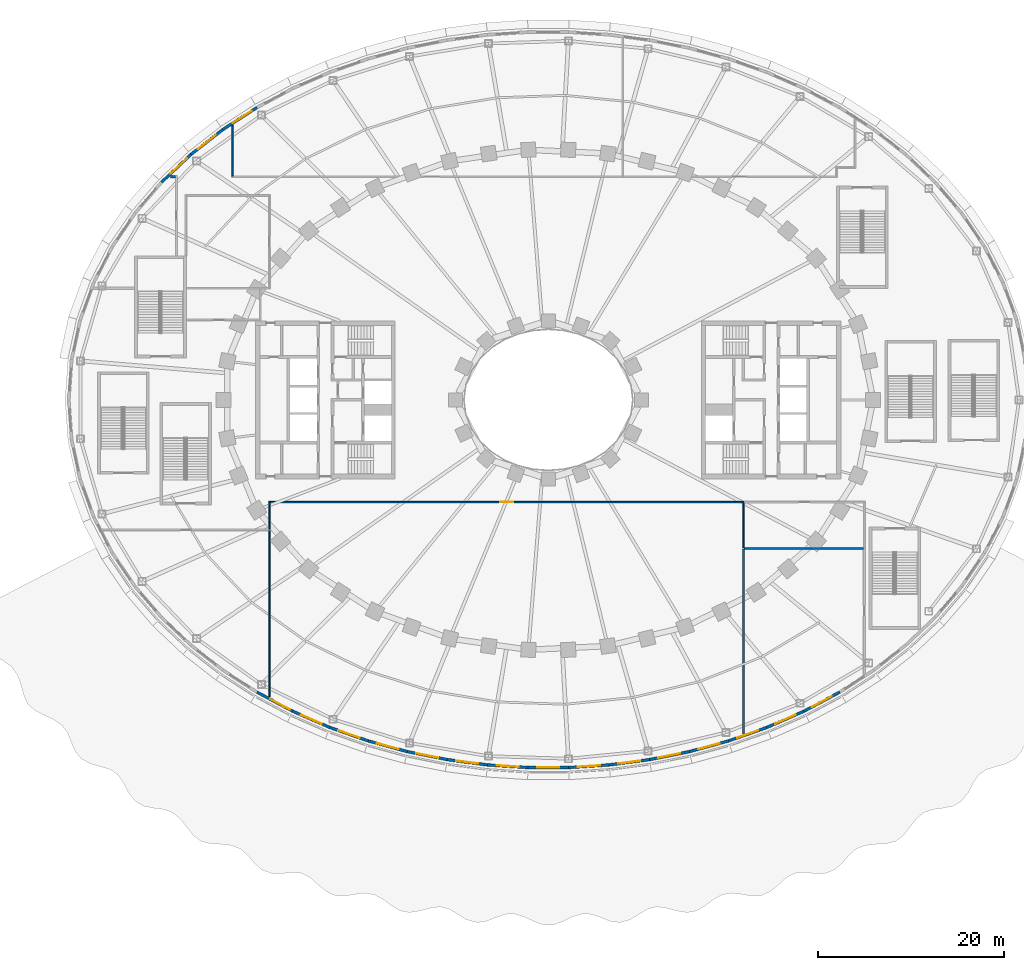
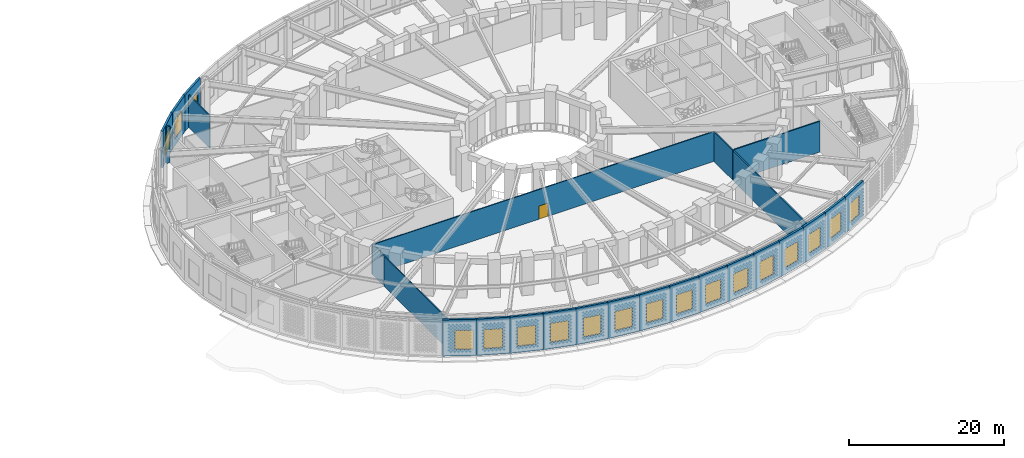
# One storey, part 22 of 74: 26 walls, 18 windows, 1 door, 19 openings.
"""IFC4 building model written with IfcOpenShell, lengths in metres."""

from ifc_helpers import new_model, si_unit, direction, frame, frame_2d, origin, place, context, subcontext, project, spatial, rectangle, extrude, material, layer, layer_set, type_object, element, fill, save


model = new_model("IFC4")

# Units and contexts
model_context = context("Model", 3, precision=1e-05, world=origin(), true_north=direction((0.0, 1.0)))
body_context = subcontext(model_context, "Body", "Model", "MODEL_VIEW")
ifc_project = project(units=[si_unit("LENGTHUNIT", "METRE"), si_unit("AREAUNIT", "SQUARE_METRE"), si_unit("VOLUMEUNIT", "CUBIC_METRE"), si_unit("PLANEANGLEUNIT", "RADIAN"), si_unit("MASSUNIT", "GRAM", prefix="KILO")], contexts=[model_context])

# Site, building, storey
site_placement = place(None, origin())
site = spatial("IfcSite", under=ifc_project, at=site_placement, CompositionType="ELEMENT")
building_placement = place(site_placement, origin())
building = spatial("IfcBuilding", under=site, at=building_placement, Name="Noorbagh Ring Tower", CompositionType="ELEMENT")
storey_placement = place(building_placement, frame((0.0, 0.0, 7.5)))
storey = spatial("IfcBuildingStorey", under=building, at=storey_placement, Name="L01", CompositionType="ELEMENT", Elevation=7.5)

# Wall, opening, window
ifc_material_1 = material(Name="Blockwork faced with red sandstone", Category="masonry")
ifc_layer_1 = layer(ifc_material_1, 0.300048828125)
ifc_layer_set_1 = layer_set([ifc_layer_1], Name="Blockwork faced with red sandstone")
wall_type_1 = type_object("IfcWallType", Name="GND-ENV-WALL", PredefinedType="SOLIDWALL", material=ifc_layer_set_1)
wall_1_placement = place(storey_placement, frame((-31.3515625, 31.448486328125, 0.0), z_axis=(0.0, 0.0, 1.0), x_axis=(-0.840047348843, -0.542513088969, 0.0)))
wall_1 = element("IfcWall", 1, at=wall_1_placement, inside=storey, type_object=wall_type_1, Name="Podium wall", PredefinedType="SOLIDWALL", context=body_context, shape_type="SweptSolid", body=[
    extrude(rectangle(XDim=4.362060546875, YDim=0.300048828125, at=frame_2d((2.18115234375, 0.0))), origin(), (0.0, 0.0, 1.0), 5.75),
])
opening_1_placement = place(wall_1_placement, frame((0.69091796875, 0.0, 1.0)))
opening_1 = element("IfcOpeningElement", 2, at=opening_1_placement, cuts=wall_1, Name="Opening GWN1", PredefinedType="OPENING", context=body_context, shape_type="SweptSolid", body=[
    extrude(rectangle(XDim=2.39990234375, YDim=3.0, at=frame_2d((1.199951171875, 1.5))), frame((0.0, 0.16015625, 0.0), z_axis=(0.0, -1.0, 0.0), x_axis=(1.0, 0.0, 0.0)), (0.0, 0.0, 1.0), 0.320068359375),
])
ifc_material_2 = material(Name="Aluminium and glass", Category="aluminium")
window_type = type_object("IfcWindowType", Name="GND-ENV-WINDOW", PartitioningType="SINGLE_PANEL", PredefinedType="WINDOW", material=ifc_material_2)
window_1_placement = place(opening_1_placement, origin())
window_1 = element("IfcWindow", 3, at=window_1_placement, inside=storey, type_object=window_type, Name="L01 podium window", OverallHeight=3.0, OverallWidth=2.39990234375, PartitioningType="SINGLE_PANEL", PredefinedType="WINDOW", context=body_context, shape_type="SweptSolid", body=[
    extrude(rectangle(XDim=2.39990234375, YDim=3.0, at=frame_2d((1.199951171875, 1.5))), frame((0.0, 0.030029296875, 0.0), z_axis=(0.0, -1.0, 0.0), x_axis=(1.0, 0.0, 0.0)), (0.0, 0.0, 1.0), 0.06005859375),
])
fill(opening_1, window_1)

wall_2_placement = place(storey_placement, frame((-35.015869140625, 29.08203125, 0.0), z_axis=(0.0, 0.0, 1.0), x_axis=(-0.788491985196, -0.615045030288, 0.0)))
wall_2 = element("IfcWall", 4, at=wall_2_placement, inside=storey, type_object=wall_type_1, Name="Podium wall", PredefinedType="SOLIDWALL", context=body_context, shape_type="SweptSolid", body=[
    extrude(rectangle(XDim=4.359375, YDim=0.300048828125, at=frame_2d((2.1796875, 0.0))), origin(), (0.0, 0.0, 1.0), 5.75),
])
opening_2_placement = place(wall_2_placement, frame((0.979736328125, 0.0, 1.0)))
opening_2 = element("IfcOpeningElement", 5, at=opening_2_placement, cuts=wall_2, Name="Opening GWN1", PredefinedType="OPENING", context=body_context, shape_type="SweptSolid", body=[
    extrude(rectangle(XDim=2.39990234375, YDim=3.0, at=frame_2d((1.199951171875, 1.5))), frame((0.0, 0.16015625, 0.0), z_axis=(0.0, -1.0, 0.0), x_axis=(1.0, 0.0, 0.0)), (0.0, 0.0, 1.0), 0.320068359375),
])
window_2_placement = place(opening_2_placement, origin())
window_2 = element("IfcWindow", 6, at=window_2_placement, inside=storey, type_object=window_type, Name="L01 podium window", OverallHeight=3.0, OverallWidth=2.39990234375, PartitioningType="SINGLE_PANEL", PredefinedType="WINDOW", context=body_context, shape_type="SweptSolid", body=[
    extrude(rectangle(XDim=2.39990234375, YDim=3.0, at=frame_2d((1.199951171875, 1.5))), frame((0.0, 0.030029296875, 0.0), z_axis=(0.0, -1.0, 0.0), x_axis=(1.0, 0.0, 0.0)), (0.0, 0.0, 1.0), 0.06005859375),
])
fill(opening_2, window_2)

wall_3_placement = place(storey_placement, frame((-38.453125, 26.40087890625, 0.0), z_axis=(0.0, 0.0, 1.0), x_axis=(-0.72620446032, -0.687478786444, 0.0)))
wall_3 = element("IfcWall", 7, at=wall_3_placement, inside=storey, type_object=wall_type_1, Name="Podium wall", PredefinedType="SOLIDWALL", context=body_context, shape_type="SweptSolid", body=[
    extrude(rectangle(XDim=4.356201171875, YDim=0.300048828125, at=frame_2d((2.17822265625, 0.0))), origin(), (0.0, 0.0, 1.0), 5.75),
])
opening_3_placement = place(wall_3_placement, frame((0.608154296875, 0.0, 1.0)))
opening_3 = element("IfcOpeningElement", 8, at=opening_3_placement, cuts=wall_3, Name="Opening GWN1", PredefinedType="OPENING", context=body_context, shape_type="SweptSolid", body=[
    extrude(rectangle(XDim=2.39990234375, YDim=3.0, at=frame_2d((1.199951171875, 1.5))), frame((0.0, 0.16015625, 0.0), z_axis=(0.0, -1.0, 0.0), x_axis=(1.0, 0.0, 0.0)), (0.0, 0.0, 1.0), 0.320068359375),
])
window_3_placement = place(opening_3_placement, origin())
window_3 = element("IfcWindow", 9, at=window_3_placement, inside=storey, type_object=window_type, Name="L01 podium window", OverallHeight=3.0, OverallWidth=2.39990234375, PartitioningType="SINGLE_PANEL", PredefinedType="WINDOW", context=body_context, shape_type="SweptSolid", body=[
    extrude(rectangle(XDim=2.39990234375, YDim=3.0, at=frame_2d((1.199951171875, 1.5))), frame((0.0, 0.030029296875, 0.0), z_axis=(0.0, -1.0, 0.0), x_axis=(1.0, 0.0, 0.0)), (0.0, 0.0, 1.0), 0.06005859375),
])
fill(opening_3, window_3)

wall_4_placement = place(storey_placement, frame((-31.3515625, -31.448486328125, 0.0), z_axis=(0.0, 0.0, 1.0), x_axis=(0.882159305704, -0.47095112205, 0.0)))
wall_4 = element("IfcWall", 10, at=wall_4_placement, inside=storey, type_object=wall_type_1, Name="Podium wall", PredefinedType="SOLIDWALL", context=body_context, shape_type="SweptSolid", body=[
    extrude(rectangle(XDim=4.364501953125, YDim=0.300048828125, at=frame_2d((2.18212890625, 0.0))), origin(), (0.0, 0.0, 1.0), 5.75),
])
opening_4_placement = place(wall_4_placement, frame((1.622314453125, 0.0, 1.0)))
opening_4 = element("IfcOpeningElement", 11, at=opening_4_placement, cuts=wall_4, Name="Opening GWN1", PredefinedType="OPENING", context=body_context, shape_type="SweptSolid", body=[
    extrude(rectangle(XDim=2.39990234375, YDim=3.0, at=frame_2d((1.199951171875, 1.5))), frame((0.0, 0.16015625, 0.0), z_axis=(0.0, -1.0, 0.0), x_axis=(1.0, 0.0, 0.0)), (0.0, 0.0, 1.0), 0.320068359375),
])
window_4_placement = place(opening_4_placement, origin())
window_4 = element("IfcWindow", 12, at=window_4_placement, inside=storey, type_object=window_type, Name="L01 podium window", OverallHeight=3.0, OverallWidth=2.39990234375, PartitioningType="SINGLE_PANEL", PredefinedType="WINDOW", context=body_context, shape_type="SweptSolid", body=[
    extrude(rectangle(XDim=2.39990234375, YDim=3.0, at=frame_2d((1.199951171875, 1.5))), frame((0.0, 0.030029296875, 0.0), z_axis=(0.0, -1.0, 0.0), x_axis=(1.0, 0.0, 0.0)), (0.0, 0.0, 1.0), 0.06005859375),
])
fill(opening_4, window_4)

wall_5_placement = place(storey_placement, frame((-27.50146484375, -33.50390625, 0.0), z_axis=(0.0, 0.0, 1.0), x_axis=(0.916336904548, -0.400408138483, 0.0)))
wall_5 = element("IfcWall", 13, at=wall_5_placement, inside=storey, type_object=wall_type_1, Name="Podium wall", PredefinedType="SOLIDWALL", context=body_context, shape_type="SweptSolid", body=[
    extrude(rectangle(XDim=4.3662109375, YDim=0.300048828125, at=frame_2d((2.18310546875, 0.0))), origin(), (0.0, 0.0, 1.0), 5.75),
])
opening_5_placement = place(wall_5_placement, frame((0.983154296875, 0.0, 1.0)))
opening_5 = element("IfcOpeningElement", 14, at=opening_5_placement, cuts=wall_5, Name="Opening GWN1", PredefinedType="OPENING", context=body_context, shape_type="SweptSolid", body=[
    extrude(rectangle(XDim=2.39990234375, YDim=3.0, at=frame_2d((1.199951171875, 1.5))), frame((0.0, 0.16015625, 0.0), z_axis=(0.0, -1.0, 0.0), x_axis=(1.0, 0.0, 0.0)), (0.0, 0.0, 1.0), 0.320068359375),
])
window_5_placement = place(opening_5_placement, origin())
window_5 = element("IfcWindow", 15, at=window_5_placement, inside=storey, type_object=window_type, Name="L01 podium window", OverallHeight=3.0, OverallWidth=2.39990234375, PartitioningType="SINGLE_PANEL", PredefinedType="WINDOW", context=body_context, shape_type="SweptSolid", body=[
    extrude(rectangle(XDim=2.39990234375, YDim=3.0, at=frame_2d((1.199951171875, 1.5))), frame((0.0, 0.030029296875, 0.0), z_axis=(0.0, -1.0, 0.0), x_axis=(1.0, 0.0, 0.0)), (0.0, 0.0, 1.0), 0.06005859375),
])
fill(opening_5, window_5)

wall_6_placement = place(storey_placement, frame((-23.50048828125, -35.252197265625, 0.0), z_axis=(0.0, 0.0, 1.0), x_axis=(0.943526738033, -0.331296384853, 0.0)))
wall_6 = element("IfcWall", 16, at=wall_6_placement, inside=storey, type_object=wall_type_1, Name="Podium wall", PredefinedType="SOLIDWALL", context=body_context, shape_type="SweptSolid", body=[
    extrude(rectangle(XDim=4.36767578125, YDim=0.300048828125, at=frame_2d((2.183837890625, 0.0))), origin(), (0.0, 0.0, 1.0), 5.75),
])
opening_6_placement = place(wall_6_placement, frame((0.98388671875, 0.0, 1.0)))
opening_6 = element("IfcOpeningElement", 17, at=opening_6_placement, cuts=wall_6, Name="Opening GWN1", PredefinedType="OPENING", context=body_context, shape_type="SweptSolid", body=[
    extrude(rectangle(XDim=2.39990234375, YDim=3.0, at=frame_2d((1.199951171875, 1.5))), frame((0.0, 0.16015625, 0.0), z_axis=(0.0, -1.0, 0.0), x_axis=(1.0, 0.0, 0.0)), (0.0, 0.0, 1.0), 0.320068359375),
])
window_6_placement = place(opening_6_placement, origin())
window_6 = element("IfcWindow", 18, at=window_6_placement, inside=storey, type_object=window_type, Name="L01 podium window", OverallHeight=3.0, OverallWidth=2.39990234375, PartitioningType="SINGLE_PANEL", PredefinedType="WINDOW", context=body_context, shape_type="SweptSolid", body=[
    extrude(rectangle(XDim=2.39990234375, YDim=3.0, at=frame_2d((1.199951171875, 1.5))), frame((0.0, 0.030029296875, 0.0), z_axis=(0.0, -1.0, 0.0), x_axis=(1.0, 0.0, 0.0)), (0.0, 0.0, 1.0), 0.06005859375),
])
fill(opening_6, window_6)

wall_7_placement = place(storey_placement, frame((-19.37939453125, -36.69921875, 0.0), z_axis=(0.0, 0.0, 1.0), x_axis=(0.964679950239, -0.263424739931, 0.0)))
wall_7 = element("IfcWall", 19, at=wall_7_placement, inside=storey, type_object=wall_type_1, Name="Podium wall", PredefinedType="SOLIDWALL", context=body_context, shape_type="SweptSolid", body=[
    extrude(rectangle(XDim=4.368896484375, YDim=0.300048828125, at=frame_2d((2.1845703125, 0.0))), origin(), (0.0, 0.0, 1.0), 5.75),
])
opening_7_placement = place(wall_7_placement, frame((0.984619140625, 0.0, 1.0)))
opening_7 = element("IfcOpeningElement", 20, at=opening_7_placement, cuts=wall_7, Name="Opening GWN1", PredefinedType="OPENING", context=body_context, shape_type="SweptSolid", body=[
    extrude(rectangle(XDim=2.39990234375, YDim=3.0, at=frame_2d((1.199951171875, 1.5))), frame((0.0, 0.16015625, 0.0), z_axis=(0.0, -1.0, 0.0), x_axis=(1.0, 0.0, 0.0)), (0.0, 0.0, 1.0), 0.320068359375),
])
window_7_placement = place(opening_7_placement, origin())
window_7 = element("IfcWindow", 21, at=window_7_placement, inside=storey, type_object=window_type, Name="L01 podium window", OverallHeight=3.0, OverallWidth=2.39990234375, PartitioningType="SINGLE_PANEL", PredefinedType="WINDOW", context=body_context, shape_type="SweptSolid", body=[
    extrude(rectangle(XDim=2.39990234375, YDim=3.0, at=frame_2d((1.199951171875, 1.5))), frame((0.0, 0.030029296875, 0.0), z_axis=(0.0, -1.0, 0.0), x_axis=(1.0, 0.0, 0.0)), (0.0, 0.0, 1.0), 0.06005859375),
])
fill(opening_7, window_7)

wall_8_placement = place(storey_placement, frame((-2.185546875, -39.564208984375, 0.0), z_axis=(0.0, 0.0, 1.0), x_axis=(1.0, 0.0, 0.0)))
wall_8 = element("IfcWall", 22, at=wall_8_placement, inside=storey, type_object=wall_type_1, Name="Podium wall", PredefinedType="SOLIDWALL", context=body_context, shape_type="SweptSolid", body=[
    extrude(rectangle(XDim=4.37109375, YDim=0.300048828125, at=frame_2d((2.185546875, 0.0))), origin(), (0.0, 0.0, 1.0), 5.75),
])
opening_8_placement = place(wall_8_placement, frame((0.985595703125, 0.0, 1.0)))
opening_8 = element("IfcOpeningElement", 23, at=opening_8_placement, cuts=wall_8, Name="Opening GWN1", PredefinedType="OPENING", context=body_context, shape_type="SweptSolid", body=[
    extrude(rectangle(XDim=2.39990234375, YDim=3.0, at=frame_2d((1.199951171875, 1.5))), frame((0.0, 0.16015625, 0.0), z_axis=(0.0, -1.0, 0.0), x_axis=(1.0, 0.0, 0.0)), (0.0, 0.0, 1.0), 0.320068359375),
])
window_8_placement = place(opening_8_placement, origin())
window_8 = element("IfcWindow", 24, at=window_8_placement, inside=storey, type_object=window_type, Name="L01 podium window", OverallHeight=3.0, OverallWidth=2.39990234375, PartitioningType="SINGLE_PANEL", PredefinedType="WINDOW", context=body_context, shape_type="SweptSolid", body=[
    extrude(rectangle(XDim=2.39990234375, YDim=3.0, at=frame_2d((1.199951171875, 1.5))), frame((0.0, 0.030029296875, 0.0), z_axis=(0.0, -1.0, 0.0), x_axis=(1.0, 0.0, 0.0)), (0.0, 0.0, 1.0), 0.06005859375),
])
fill(opening_8, window_8)

wall_9_placement = place(storey_placement, frame((2.185546875, -39.564208984375, 0.0), z_axis=(0.0, 0.0, 1.0), x_axis=(0.997876871627, 0.065128711577, 0.0)))
wall_9 = element("IfcWall", 25, at=wall_9_placement, inside=storey, type_object=wall_type_1, Name="Podium wall", PredefinedType="SOLIDWALL", context=body_context, shape_type="SweptSolid", body=[
    extrude(rectangle(XDim=4.370849609375, YDim=0.300048828125, at=frame_2d((2.185546875, 0.0))), origin(), (0.0, 0.0, 1.0), 5.75),
])
opening_9_placement = place(wall_9_placement, frame((0.9853515625, 0.0, 1.0)))
opening_9 = element("IfcOpeningElement", 26, at=opening_9_placement, cuts=wall_9, Name="Opening GWN1", PredefinedType="OPENING", context=body_context, shape_type="SweptSolid", body=[
    extrude(rectangle(XDim=2.39990234375, YDim=3.0, at=frame_2d((1.199951171875, 1.5))), frame((0.0, 0.16015625, 0.0), z_axis=(0.0, -1.0, 0.0), x_axis=(1.0, 0.0, 0.0)), (0.0, 0.0, 1.0), 0.320068359375),
])
window_9_placement = place(opening_9_placement, origin())
window_9 = element("IfcWindow", 27, at=window_9_placement, inside=storey, type_object=window_type, Name="L01 podium window", OverallHeight=3.0, OverallWidth=2.39990234375, PartitioningType="SINGLE_PANEL", PredefinedType="WINDOW", context=body_context, shape_type="SweptSolid", body=[
    extrude(rectangle(XDim=2.39990234375, YDim=3.0, at=frame_2d((1.199951171875, 1.5))), frame((0.0, 0.030029296875, 0.0), z_axis=(0.0, -1.0, 0.0), x_axis=(1.0, 0.0, 0.0)), (0.0, 0.0, 1.0), 0.06005859375),
])
fill(opening_9, window_9)

wall_10_placement = place(storey_placement, frame((6.547119140625, -39.279541015625, 0.0), z_axis=(0.0, 0.0, 1.0), x_axis=(0.991441741932, 0.130549884544, 0.0)))
wall_10 = element("IfcWall", 28, at=wall_10_placement, inside=storey, type_object=wall_type_1, Name="Podium wall", PredefinedType="SOLIDWALL", context=body_context, shape_type="SweptSolid", body=[
    extrude(rectangle(XDim=4.370361328125, YDim=0.300048828125, at=frame_2d((2.18505859375, 0.0))), origin(), (0.0, 0.0, 1.0), 5.75),
])
opening_10_placement = place(wall_10_placement, frame((0.985107421875, 0.0, 1.0)))
opening_10 = element("IfcOpeningElement", 29, at=opening_10_placement, cuts=wall_10, Name="Opening GWN1", PredefinedType="OPENING", context=body_context, shape_type="SweptSolid", body=[
    extrude(rectangle(XDim=2.39990234375, YDim=3.0, at=frame_2d((1.199951171875, 1.5))), frame((0.0, 0.16015625, 0.0), z_axis=(0.0, -1.0, 0.0), x_axis=(1.0, 0.0, 0.0)), (0.0, 0.0, 1.0), 0.320068359375),
])
window_10_placement = place(opening_10_placement, origin())
window_10 = element("IfcWindow", 30, at=window_10_placement, inside=storey, type_object=window_type, Name="L01 podium window", OverallHeight=3.0, OverallWidth=2.39990234375, PartitioningType="SINGLE_PANEL", PredefinedType="WINDOW", context=body_context, shape_type="SweptSolid", body=[
    extrude(rectangle(XDim=2.39990234375, YDim=3.0, at=frame_2d((1.199951171875, 1.5))), frame((0.0, 0.030029296875, 0.0), z_axis=(0.0, -1.0, 0.0), x_axis=(1.0, 0.0, 0.0)), (0.0, 0.0, 1.0), 0.06005859375),
])
fill(opening_10, window_10)

wall_11_placement = place(storey_placement, frame((10.880126953125, -38.708984375, 0.0), z_axis=(0.0, 0.0, 1.0), x_axis=(0.980494629762, 0.196545875071, 0.0)))
wall_11 = element("IfcWall", 31, at=wall_11_placement, inside=storey, type_object=wall_type_1, Name="Podium wall", PredefinedType="SOLIDWALL", context=body_context, shape_type="SweptSolid", body=[
    extrude(rectangle(XDim=4.369873046875, YDim=0.300048828125, at=frame_2d((2.18505859375, 0.0))), origin(), (0.0, 0.0, 1.0), 5.75),
])
opening_11_placement = place(wall_11_placement, frame((0.98486328125, 0.0, 1.0)))
opening_11 = element("IfcOpeningElement", 32, at=opening_11_placement, cuts=wall_11, Name="Opening GWN1", PredefinedType="OPENING", context=body_context, shape_type="SweptSolid", body=[
    extrude(rectangle(XDim=2.39990234375, YDim=3.0, at=frame_2d((1.199951171875, 1.5))), frame((0.0, 0.16015625, 0.0), z_axis=(0.0, -1.0, 0.0), x_axis=(1.0, 0.0, 0.0)), (0.0, 0.0, 1.0), 0.320068359375),
])
window_11_placement = place(opening_11_placement, origin())
window_11 = element("IfcWindow", 33, at=window_11_placement, inside=storey, type_object=window_type, Name="L01 podium window", OverallHeight=3.0, OverallWidth=2.39990234375, PartitioningType="SINGLE_PANEL", PredefinedType="WINDOW", context=body_context, shape_type="SweptSolid", body=[
    extrude(rectangle(XDim=2.39990234375, YDim=3.0, at=frame_2d((1.199951171875, 1.5))), frame((0.0, 0.030029296875, 0.0), z_axis=(0.0, -1.0, 0.0), x_axis=(1.0, 0.0, 0.0)), (0.0, 0.0, 1.0), 0.06005859375),
])
fill(opening_11, window_11)

wall_12_placement = place(storey_placement, frame((15.164794921875, -37.85009765625, 0.0), z_axis=(0.0, 0.0, 1.0), x_axis=(0.964679950239, 0.263424739931, 0.0)))
wall_12 = element("IfcWall", 34, at=wall_12_placement, inside=storey, type_object=wall_type_1, Name="Podium wall", PredefinedType="SOLIDWALL", context=body_context, shape_type="SweptSolid", body=[
    extrude(rectangle(XDim=4.368896484375, YDim=0.300048828125, at=frame_2d((2.1845703125, 0.0))), origin(), (0.0, 0.0, 1.0), 5.75),
])
opening_12_placement = place(wall_12_placement, frame((0.984619140625, 0.0, 1.0)))
opening_12 = element("IfcOpeningElement", 35, at=opening_12_placement, cuts=wall_12, Name="Opening GWN1", PredefinedType="OPENING", context=body_context, shape_type="SweptSolid", body=[
    extrude(rectangle(XDim=2.39990234375, YDim=3.0, at=frame_2d((1.199951171875, 1.5))), frame((0.0, 0.16015625, 0.0), z_axis=(0.0, -1.0, 0.0), x_axis=(1.0, 0.0, 0.0)), (0.0, 0.0, 1.0), 0.320068359375),
])
window_12_placement = place(opening_12_placement, origin())
window_12 = element("IfcWindow", 36, at=window_12_placement, inside=storey, type_object=window_type, Name="L01 podium window", OverallHeight=3.0, OverallWidth=2.39990234375, PartitioningType="SINGLE_PANEL", PredefinedType="WINDOW", context=body_context, shape_type="SweptSolid", body=[
    extrude(rectangle(XDim=2.39990234375, YDim=3.0, at=frame_2d((1.199951171875, 1.5))), frame((0.0, 0.030029296875, 0.0), z_axis=(0.0, -1.0, 0.0), x_axis=(1.0, 0.0, 0.0)), (0.0, 0.0, 1.0), 0.06005859375),
])
fill(opening_12, window_12)

wall_13_placement = place(storey_placement, frame((19.37939453125, -36.69921875, 0.0), z_axis=(0.0, 0.0, 1.0), x_axis=(0.943526738033, 0.331296384853, 0.0)))
wall_13 = element("IfcWall", 37, at=wall_13_placement, inside=storey, type_object=wall_type_1, Name="Podium wall", PredefinedType="SOLIDWALL", context=body_context, shape_type="SweptSolid", body=[
    extrude(rectangle(XDim=4.36767578125, YDim=0.300048828125, at=frame_2d((2.183837890625, 0.0))), origin(), (0.0, 0.0, 1.0), 5.75),
])
opening_13_placement = place(wall_13_placement, frame((0.98388671875, 0.0, 1.0)))
opening_13 = element("IfcOpeningElement", 38, at=opening_13_placement, cuts=wall_13, Name="Opening GWN1", PredefinedType="OPENING", context=body_context, shape_type="SweptSolid", body=[
    extrude(rectangle(XDim=2.39990234375, YDim=3.0, at=frame_2d((1.199951171875, 1.5))), frame((0.0, 0.16015625, 0.0), z_axis=(0.0, -1.0, 0.0), x_axis=(1.0, 0.0, 0.0)), (0.0, 0.0, 1.0), 0.320068359375),
])
window_13_placement = place(opening_13_placement, origin())
window_13 = element("IfcWindow", 39, at=window_13_placement, inside=storey, type_object=window_type, Name="L01 podium window", OverallHeight=3.0, OverallWidth=2.39990234375, PartitioningType="SINGLE_PANEL", PredefinedType="WINDOW", context=body_context, shape_type="SweptSolid", body=[
    extrude(rectangle(XDim=2.39990234375, YDim=3.0, at=frame_2d((1.199951171875, 1.5))), frame((0.0, 0.030029296875, 0.0), z_axis=(0.0, -1.0, 0.0), x_axis=(1.0, 0.0, 0.0)), (0.0, 0.0, 1.0), 0.06005859375),
])
fill(opening_13, window_13)

wall_14_placement = place(storey_placement, frame((23.50048828125, -35.252197265625, 0.0), z_axis=(0.0, 0.0, 1.0), x_axis=(0.916336904548, 0.400408138483, 0.0)))
wall_14 = element("IfcWall", 40, at=wall_14_placement, inside=storey, type_object=wall_type_1, Name="Podium wall", PredefinedType="SOLIDWALL", context=body_context, shape_type="SweptSolid", body=[
    extrude(rectangle(XDim=4.3662109375, YDim=0.300048828125, at=frame_2d((2.18310546875, 0.0))), origin(), (0.0, 0.0, 1.0), 5.75),
])
opening_14_placement = place(wall_14_placement, frame((0.983154296875, 0.0, 1.0)))
opening_14 = element("IfcOpeningElement", 41, at=opening_14_placement, cuts=wall_14, Name="Opening GWN1", PredefinedType="OPENING", context=body_context, shape_type="SweptSolid", body=[
    extrude(rectangle(XDim=2.39990234375, YDim=3.0, at=frame_2d((1.199951171875, 1.5))), frame((0.0, 0.16015625, 0.0), z_axis=(0.0, -1.0, 0.0), x_axis=(1.0, 0.0, 0.0)), (0.0, 0.0, 1.0), 0.320068359375),
])
window_14_placement = place(opening_14_placement, origin())
window_14 = element("IfcWindow", 42, at=window_14_placement, inside=storey, type_object=window_type, Name="L01 podium window", OverallHeight=3.0, OverallWidth=2.39990234375, PartitioningType="SINGLE_PANEL", PredefinedType="WINDOW", context=body_context, shape_type="SweptSolid", body=[
    extrude(rectangle(XDim=2.39990234375, YDim=3.0, at=frame_2d((1.199951171875, 1.5))), frame((0.0, 0.030029296875, 0.0), z_axis=(0.0, -1.0, 0.0), x_axis=(1.0, 0.0, 0.0)), (0.0, 0.0, 1.0), 0.06005859375),
])
fill(opening_14, window_14)

wall_15_placement = place(storey_placement, frame((27.50146484375, -33.50390625, 0.0), z_axis=(0.0, 0.0, 1.0), x_axis=(0.882159305704, 0.47095112205, 0.0)))
wall_15 = element("IfcWall", 43, at=wall_15_placement, inside=storey, type_object=wall_type_1, Name="Podium wall", PredefinedType="SOLIDWALL", context=body_context, shape_type="SweptSolid", body=[
    extrude(rectangle(XDim=4.364501953125, YDim=0.300048828125, at=frame_2d((2.18212890625, 0.0))), origin(), (0.0, 0.0, 1.0), 5.75),
])
opening_15_placement = place(wall_15_placement, frame((0.982177734375, 0.0, 1.0)))
opening_15 = element("IfcOpeningElement", 44, at=opening_15_placement, cuts=wall_15, Name="Opening GWN1", PredefinedType="OPENING", context=body_context, shape_type="SweptSolid", body=[
    extrude(rectangle(XDim=2.39990234375, YDim=3.0, at=frame_2d((1.199951171875, 1.5))), frame((0.0, 0.16015625, 0.0), z_axis=(0.0, -1.0, 0.0), x_axis=(1.0, 0.0, 0.0)), (0.0, 0.0, 1.0), 0.320068359375),
])
window_15_placement = place(opening_15_placement, origin())
window_15 = element("IfcWindow", 45, at=window_15_placement, inside=storey, type_object=window_type, Name="L01 podium window", OverallHeight=3.0, OverallWidth=2.39990234375, PartitioningType="SINGLE_PANEL", PredefinedType="WINDOW", context=body_context, shape_type="SweptSolid", body=[
    extrude(rectangle(XDim=2.39990234375, YDim=3.0, at=frame_2d((1.199951171875, 1.5))), frame((0.0, 0.030029296875, 0.0), z_axis=(0.0, -1.0, 0.0), x_axis=(1.0, 0.0, 0.0)), (0.0, 0.0, 1.0), 0.06005859375),
])
fill(opening_15, window_15)

ifc_material_3 = material(Name="Blockwork faced with red sandstone", Category="masonry")
ifc_layer_2 = layer(ifc_material_3, 0.300048828125)
ifc_layer_set_2 = layer_set([ifc_layer_2], Name="Blockwork faced with red sandstone")
wall_type_2 = type_object("IfcWallType", Name="GND-ENV-WALL-EI120", PredefinedType="SOLIDWALL", material=ifc_layer_set_2)
wall_16_placement = place(storey_placement, frame((-15.164794921875, -37.85009765625, 0.0), z_axis=(0.0, 0.0, 1.0), x_axis=(0.980494629762, -0.196545875071, 0.0)))
wall_16 = element("IfcWall", 46, at=wall_16_placement, inside=storey, type_object=wall_type_2, Name="Podium wall", PredefinedType="SOLIDWALL", context=body_context, shape_type="SweptSolid", body=[
    extrude(rectangle(XDim=4.369873046875, YDim=0.300048828125, at=frame_2d((2.18505859375, 0.0))), origin(), (0.0, 0.0, 1.0), 5.75),
])
opening_16_placement = place(wall_16_placement, frame((0.98486328125, 0.0, 1.0)))
opening_16 = element("IfcOpeningElement", 47, at=opening_16_placement, cuts=wall_16, Name="Opening GWN1", PredefinedType="OPENING", context=body_context, shape_type="SweptSolid", body=[
    extrude(rectangle(XDim=2.39990234375, YDim=3.0, at=frame_2d((1.199951171875, 1.5))), frame((0.0, 0.16015625, 0.0), z_axis=(0.0, -1.0, 0.0), x_axis=(1.0, 0.0, 0.0)), (0.0, 0.0, 1.0), 0.320068359375),
])
window_16_placement = place(opening_16_placement, origin())
window_16 = element("IfcWindow", 48, at=window_16_placement, inside=storey, type_object=window_type, Name="L01 podium window", OverallHeight=3.0, OverallWidth=2.39990234375, PartitioningType="SINGLE_PANEL", PredefinedType="WINDOW", context=body_context, shape_type="SweptSolid", body=[
    extrude(rectangle(XDim=2.39990234375, YDim=3.0, at=frame_2d((1.199951171875, 1.5))), frame((0.0, 0.030029296875, 0.0), z_axis=(0.0, -1.0, 0.0), x_axis=(1.0, 0.0, 0.0)), (0.0, 0.0, 1.0), 0.06005859375),
])
fill(opening_16, window_16)

wall_17_placement = place(storey_placement, frame((-10.880126953125, -38.708984375, 0.0), z_axis=(0.0, 0.0, 1.0), x_axis=(0.991441741932, -0.130549884544, 0.0)))
wall_17 = element("IfcWall", 49, at=wall_17_placement, inside=storey, type_object=wall_type_2, Name="Podium wall", PredefinedType="SOLIDWALL", context=body_context, shape_type="SweptSolid", body=[
    extrude(rectangle(XDim=4.370361328125, YDim=0.300048828125, at=frame_2d((2.18505859375, 0.0))), origin(), (0.0, 0.0, 1.0), 5.75),
])
opening_17_placement = place(wall_17_placement, frame((0.985107421875, 0.0, 1.0)))
opening_17 = element("IfcOpeningElement", 50, at=opening_17_placement, cuts=wall_17, Name="Opening GWN1", PredefinedType="OPENING", context=body_context, shape_type="SweptSolid", body=[
    extrude(rectangle(XDim=2.39990234375, YDim=3.0, at=frame_2d((1.199951171875, 1.5))), frame((0.0, 0.16015625, 0.0), z_axis=(0.0, -1.0, 0.0), x_axis=(1.0, 0.0, 0.0)), (0.0, 0.0, 1.0), 0.320068359375),
])
window_17_placement = place(opening_17_placement, origin())
window_17 = element("IfcWindow", 51, at=window_17_placement, inside=storey, type_object=window_type, Name="L01 podium window", OverallHeight=3.0, OverallWidth=2.39990234375, PartitioningType="SINGLE_PANEL", PredefinedType="WINDOW", context=body_context, shape_type="SweptSolid", body=[
    extrude(rectangle(XDim=2.39990234375, YDim=3.0, at=frame_2d((1.199951171875, 1.5))), frame((0.0, 0.030029296875, 0.0), z_axis=(0.0, -1.0, 0.0), x_axis=(1.0, 0.0, 0.0)), (0.0, 0.0, 1.0), 0.06005859375),
])
fill(opening_17, window_17)

wall_18_placement = place(storey_placement, frame((-6.547119140625, -39.279541015625, 0.0), z_axis=(0.0, 0.0, 1.0), x_axis=(0.997876871627, -0.065128711577, 0.0)))
wall_18 = element("IfcWall", 52, at=wall_18_placement, inside=storey, type_object=wall_type_2, Name="Podium wall", PredefinedType="SOLIDWALL", context=body_context, shape_type="SweptSolid", body=[
    extrude(rectangle(XDim=4.370849609375, YDim=0.300048828125, at=frame_2d((2.185546875, 0.0))), origin(), (0.0, 0.0, 1.0), 5.75),
])
opening_18_placement = place(wall_18_placement, frame((0.9853515625, 0.0, 1.0)))
opening_18 = element("IfcOpeningElement", 53, at=opening_18_placement, cuts=wall_18, Name="Opening GWN1", PredefinedType="OPENING", context=body_context, shape_type="SweptSolid", body=[
    extrude(rectangle(XDim=2.39990234375, YDim=3.0, at=frame_2d((1.199951171875, 1.5))), frame((0.0, 0.16015625, 0.0), z_axis=(0.0, -1.0, 0.0), x_axis=(1.0, 0.0, 0.0)), (0.0, 0.0, 1.0), 0.320068359375),
])
window_18_placement = place(opening_18_placement, origin())
window_18 = element("IfcWindow", 54, at=window_18_placement, inside=storey, type_object=window_type, Name="L01 podium window", OverallHeight=3.0, OverallWidth=2.39990234375, PartitioningType="SINGLE_PANEL", PredefinedType="WINDOW", context=body_context, shape_type="SweptSolid", body=[
    extrude(rectangle(XDim=2.39990234375, YDim=3.0, at=frame_2d((1.199951171875, 1.5))), frame((0.0, 0.030029296875, 0.0), z_axis=(0.0, -1.0, 0.0), x_axis=(1.0, 0.0, 0.0)), (0.0, 0.0, 1.0), 0.06005859375),
])
fill(opening_18, window_18)

# Walls
ifc_material_4 = material(Name="Gypsum board on steel studs", Category="steel")
ifc_layer_3 = layer(ifc_material_4, 0.14990234375)
ifc_layer_set_3 = layer_set([ifc_layer_3], Name="Gypsum board on steel studs")
wall_type_3 = type_object("IfcWallType", Name="GND-PART-150", PredefinedType="PARTITIONING", material=ifc_layer_set_3)
wall_19_placement = place(storey_placement, frame((21.0, -11.074951171875, 0.0), z_axis=(0.0, 0.0, 1.0), x_axis=(0.0, -1.0, 0.0)))
element("IfcWall", 55, at=wall_19_placement, inside=storey, type_object=wall_type_3, Name="L01/wall/P002", PredefinedType="PARTITIONING", context=body_context, shape_type="SweptSolid", body=[
    extrude(rectangle(XDim=4.8349609375, YDim=0.14990234375, at=frame_2d((2.41748046875, 0.0))), origin(), (0.0, 0.0, 1.0), 4.699951171875),
])
wall_20_placement = place(storey_placement, frame((-30.0, -31.969970703125, 0.0), z_axis=(0.0, 0.0, 1.0), x_axis=(0.0, 1.0, 0.0)))
element("IfcWall", 56, at=wall_20_placement, inside=storey, type_object=wall_type_3, Name="L01/wall/P003", PredefinedType="PARTITIONING", context=body_context, shape_type="SweptSolid", body=[
    extrude(rectangle(XDim=17.896240234375, YDim=0.14990234375, at=frame_2d((8.9482421875, 0.0))), origin(), (0.0, 0.0, 1.0), 4.75),
])
wall_21_placement = place(storey_placement, frame((-30.0, -13.92626953125, 0.0), z_axis=(0.0, 0.0, 1.0), x_axis=(0.0, 1.0, 0.0)))
element("IfcWall", 57, at=wall_21_placement, inside=storey, type_object=wall_type_3, Name="L01/wall/P004", PredefinedType="PARTITIONING", context=body_context, shape_type="SweptSolid", body=[
    extrude(rectangle(XDim=2.851318359375, YDim=0.14990234375, at=frame_2d((1.42578125, 0.0))), origin(), (0.0, 0.0, 1.0), 4.85009765625),
])

# Wall, opening, door
wall_22_placement = place(storey_placement, frame((-30.074951171875, -11.0, 0.0), z_axis=(0.0, 0.0, 1.0), x_axis=(1.0, 0.0, 0.0)))
wall_22 = element("IfcWall", 58, at=wall_22_placement, inside=storey, type_object=wall_type_3, Name="L01/wall/P005", PredefinedType="PARTITIONING", context=body_context, shape_type="SweptSolid", body=[
    extrude(rectangle(XDim=51.14990234375, YDim=0.14990234375, at=frame_2d((25.574951171875, 0.0))), origin(), (0.0, 0.0, 1.0), 4.699951171875),
])
opening_19_placement = place(wall_22_placement, frame((24.875, 0.0, 0.0)))
opening_19 = element("IfcOpeningElement", 59, at=opening_19_placement, cuts=wall_22, Name="Opening GD8", PredefinedType="OPENING", context=body_context, shape_type="SweptSolid", body=[
    extrude(rectangle(XDim=1.39990234375, YDim=2.10009765625, at=frame_2d((0.699951171875, 1.050048828125))), frame((0.0, 0.0849609375, 0.0), z_axis=(0.0, -1.0, 0.0), x_axis=(1.0, 0.0, 0.0)), (0.0, 0.0, 1.0), 0.169921875),
])
ifc_material_5 = material(Name="Timber and glass", Category="wood")
door_type = type_object("IfcDoorType", Name="GND-DOOR-HALL-14", OperationType="DOUBLE_DOOR_SINGLE_SWING", PredefinedType="DOOR", material=ifc_material_5)
door_placement = place(opening_19_placement, origin())
door = element("IfcDoor", 60, at=door_placement, inside=storey, type_object=door_type, Name="Staff restaurant door", OperationType="DOUBLE_DOOR_SINGLE_SWING", OverallHeight=2.10009765625, OverallWidth=1.39990234375, PredefinedType="DOOR", context=body_context, shape_type="SweptSolid", body=[
    extrude(rectangle(XDim=1.39990234375, YDim=2.10009765625, at=frame_2d((0.699951171875, 1.050048828125))), frame((0.0, 0.02490234375, 0.0), z_axis=(0.0, -1.0, 0.0), x_axis=(1.0, 0.0, 0.0)), (0.0, 0.0, 1.0), 0.050048828125),
])
fill(opening_19, door)

# Walls
wall_23_placement = place(storey_placement, frame((-34.0, 24.074951171875, 0.0), z_axis=(0.0, 0.0, 1.0), x_axis=(0.0, 1.0, 0.0)))
element("IfcWall", 61, at=wall_23_placement, inside=storey, type_object=wall_type_3, Name="L01/wall/P011", PredefinedType="PARTITIONING", context=body_context, shape_type="SweptSolid", body=[
    extrude(rectangle(XDim=5.444580078125, YDim=0.14990234375, at=frame_2d((2.72216796875, 0.0))), origin(), (0.0, 0.0, 1.0), 5.14990234375),
])
ifc_material_6 = material(Name="Reinforced blockwork", Category="masonry")
ifc_layer_4 = layer(ifc_material_6, 0.199951171875)
ifc_layer_set_4 = layer_set([ifc_layer_4], Name="Reinforced blockwork")
wall_type_4 = type_object("IfcWallType", Name="GND-PART-200", PredefinedType="PARTITIONING", material=ifc_layer_set_4)
wall_24_placement = place(storey_placement, frame((21.0, -16.06494140625, 0.0), z_axis=(0.0, 0.0, 1.0), x_axis=(0.0, -1.0, 0.0)))
element("IfcWall", 62, at=wall_24_placement, inside=storey, type_object=wall_type_4, Name="L01/wall/P001", PredefinedType="PARTITIONING", context=body_context, shape_type="SweptSolid", body=[
    extrude(rectangle(XDim=19.87646484375, YDim=0.199951171875, at=frame_2d((9.938232421875, 0.0))), origin(), (0.0, 0.0, 1.0), 4.75),
])
wall_25_placement = place(storey_placement, frame((21.10009765625, -16.0, 0.0), z_axis=(0.0, 0.0, 1.0), x_axis=(1.0, 0.0, 0.0)))
element("IfcWall", 63, at=wall_25_placement, inside=storey, type_object=wall_type_4, Name="L01/wall/P006", PredefinedType="PARTITIONING", context=body_context, shape_type="SweptSolid", body=[
    extrude(rectangle(XDim=12.7998046875, YDim=0.199951171875, at=frame_2d((6.39990234375, 0.0))), origin(), (0.0, 0.0, 1.0), 4.85009765625),
])
ifc_material_7 = material(Name="Reinforced blockwork", Category="masonry")
ifc_layer_5 = layer(ifc_material_7, 0.25)
ifc_layer_set_5 = layer_set([ifc_layer_5], Name="Reinforced blockwork")
wall_type_5 = type_object("IfcWallType", Name="GND-PART-250", PredefinedType="PARTITIONING", material=ifc_layer_set_5)
wall_26_placement = place(storey_placement, frame((-40.64599609375, 24.0, 0.0), z_axis=(0.0, 0.0, 1.0), x_axis=(1.0, 0.0, 0.0)))
element("IfcWall", 64, at=wall_26_placement, inside=storey, type_object=wall_type_5, Name="L01/wall/P019", PredefinedType="PARTITIONING", context=body_context, shape_type="SweptSolid", body=[
    extrude(rectangle(XDim=0.52099609375, YDim=0.25, at=frame_2d((0.260498046875, 0.0))), origin(), (0.0, 0.0, 1.0), 5.75),
])

save(model, "model.ifc")
